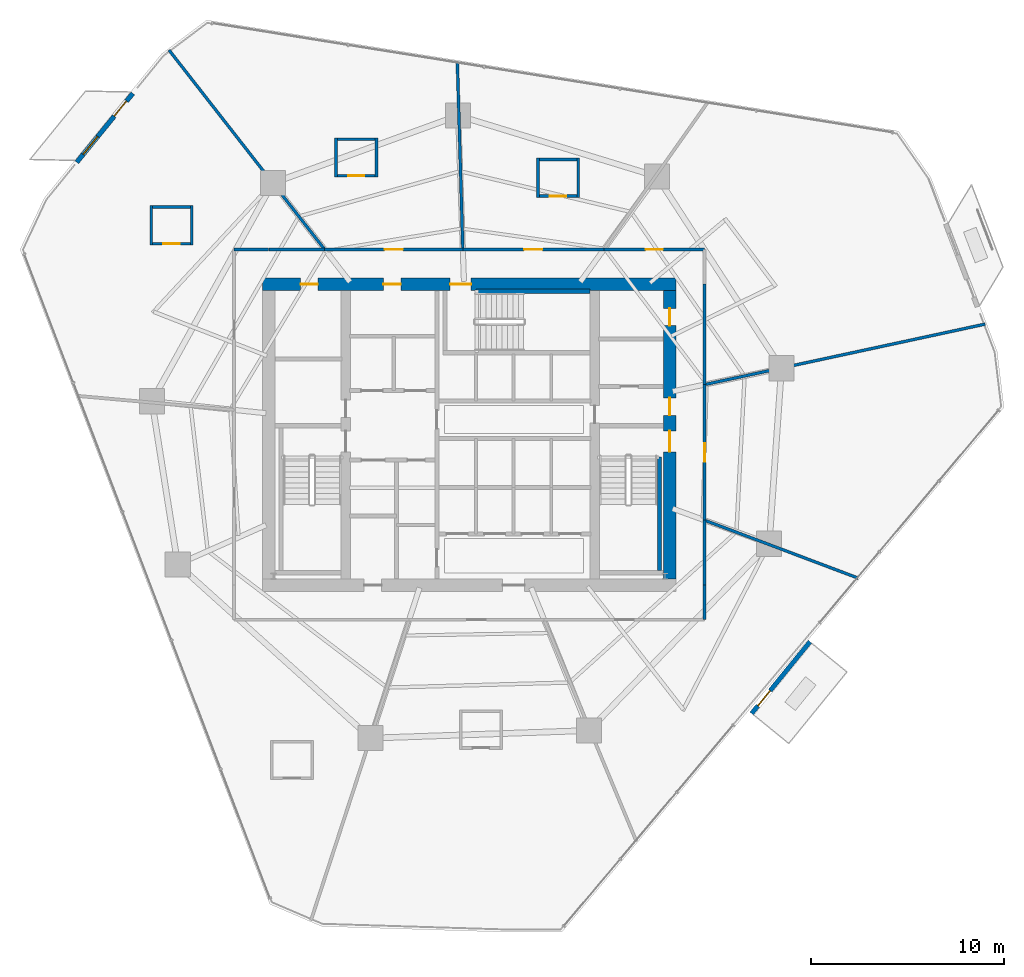
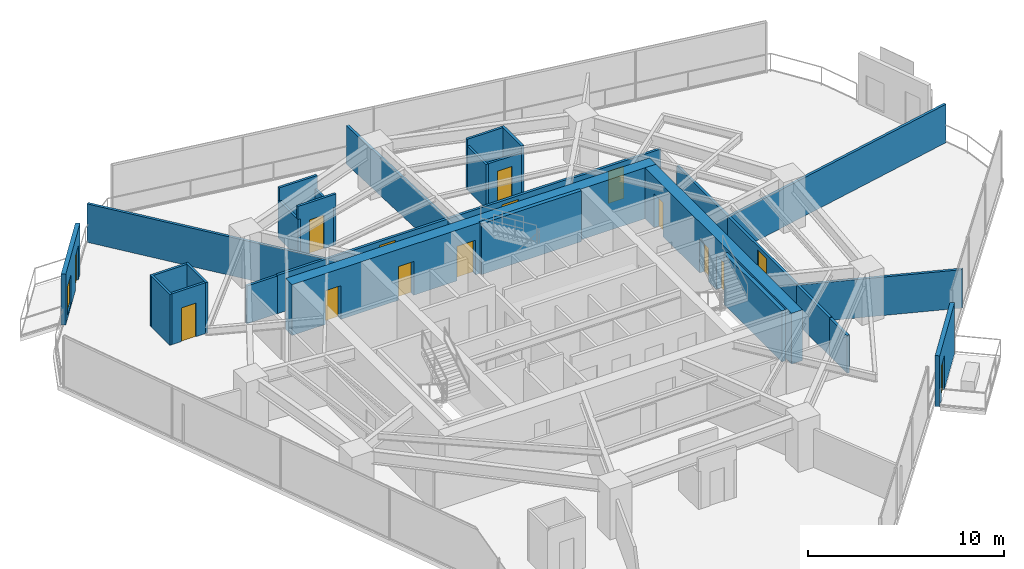
# One storey, part 26 of 31: 31 walls, 15 doors, 1 window, 16 openings.
"""IFC4 building model written with IfcOpenShell, lengths in metres."""

from ifc_helpers import new_model, si_unit, direction, frame, frame_2d, origin, place, context, subcontext, project, spatial, rectangle, extrude, material, layer, layer_set, type_object, element, fill, save


model = new_model("IFC4")

# Units and contexts
model_context = context("Model", 3, precision=1e-05, world=origin(), true_north=direction((0.0, 1.0)))
body_context = subcontext(model_context, "Body", "Model", "MODEL_VIEW")
ifc_project = project(units=[si_unit("LENGTHUNIT", "METRE"), si_unit("AREAUNIT", "SQUARE_METRE"), si_unit("VOLUMEUNIT", "CUBIC_METRE"), si_unit("PLANEANGLEUNIT", "RADIAN"), si_unit("MASSUNIT", "GRAM", prefix="KILO")], contexts=[model_context])

# Site, building, storey
site_placement = place(None, origin())
site = spatial("IfcSite", under=ifc_project, at=site_placement, CompositionType="ELEMENT")
building_placement = place(site_placement, origin())
building = spatial("IfcBuilding", under=site, at=building_placement, Name="Qarnah Convention Tower", CompositionType="ELEMENT")
storey_placement = place(building_placement, frame((0.0, 0.0, 33.89990234375)))
storey = spatial("IfcBuildingStorey", under=building, at=storey_placement, Name="L07", CompositionType="ELEMENT", Elevation=33.89990234375)

# Wall, openings, doors
ifc_material_1 = material(Name="Concrete C60/75", Category="concrete")
ifc_layer_1 = layer(ifc_material_1, 0.64990234375)
ifc_layer_set_1 = layer_set([ifc_layer_1], Name="Concrete C60/75")
wall_type_1 = type_object("IfcWallType", Name="WL-CORE-650", PredefinedType="SHEAR", material=ifc_layer_set_1)
wall_1_placement = place(storey_placement, frame((26.47509765625, 34.199951171875, 0.0), z_axis=(0.0, 0.0, 1.0), x_axis=(1.0, 0.0, 0.0)))
wall_1 = element("IfcWall", 1, at=wall_1_placement, inside=storey, type_object=wall_type_1, Name="L07 core north shear wall", PredefinedType="SHEAR", context=body_context, shape_type="SweptSolid", body=[
    extrude(rectangle(XDim=21.449951171875, YDim=0.64990234375, at=frame_2d((10.72509765625, 0.0))), origin(), (0.0, 0.0, 1.0), 3.170166015625),
])
opening_1_placement = place(wall_1_placement, frame((9.72509765625, 0.0, 0.0)))
opening_1 = element("IfcOpeningElement", 2, at=opening_1_placement, cuts=wall_1, Name="Opening D-0703", PredefinedType="OPENING", context=body_context, shape_type="SweptSolid", body=[
    extrude(rectangle(XDim=1.10009765625, YDim=2.14990234375, at=frame_2d((0.550048828125, 1.074951171875))), frame((0.0, 0.3349609375, 0.0), z_axis=(0.0, -1.0, 0.0), x_axis=(1.0, 0.0, 0.0)), (0.0, 0.0, 1.0), 0.669921875),
])
opening_2_placement = place(wall_1_placement, frame((1.97509765625, 0.0, 0.0)))
opening_2 = element("IfcOpeningElement", 3, at=opening_2_placement, cuts=wall_1, Name="Opening D-0709", PredefinedType="OPENING", context=body_context, shape_type="SweptSolid", body=[
    extrude(rectangle(XDim=0.89990234375, YDim=2.10009765625, at=frame_2d((0.449951171875, 1.050048828125))), frame((0.0, 0.3349609375, 0.0), z_axis=(0.0, -1.0, 0.0), x_axis=(1.0, 0.0, 0.0)), (0.0, 0.0, 1.0), 0.669921875),
])
opening_3_placement = place(wall_1_placement, frame((6.27490234375, 0.0, 0.0)))
opening_3 = element("IfcOpeningElement", 4, at=opening_3_placement, cuts=wall_1, Name="Opening D-0710", PredefinedType="OPENING", context=body_context, shape_type="SweptSolid", body=[
    extrude(rectangle(XDim=0.89990234375, YDim=2.10009765625, at=frame_2d((0.449951171875, 1.050048828125))), frame((0.0, 0.3349609375, 0.0), z_axis=(0.0, -1.0, 0.0), x_axis=(1.0, 0.0, 0.0)), (0.0, 0.0, 1.0), 0.669921875),
])
ifc_material_2 = material(Name="Structural steel S355JR", Category="steel")
door_type_1 = type_object("IfcDoorType", Name="DT-RISER-900", OperationType="NOTDEFINED", PredefinedType="DOOR", material=ifc_material_2)
door_1_placement = place(opening_2_placement, origin())
door_1 = element("IfcDoor", 5, at=door_1_placement, inside=storey, type_object=door_type_1, Name="Door D-0709", OperationType="SINGLE_SWING_LEFT", OverallHeight=2.10009765625, OverallWidth=0.89990234375, PredefinedType="DOOR", context=body_context, shape_type="SweptSolid", body=[
    extrude(rectangle(XDim=0.89990234375, YDim=2.10009765625, at=frame_2d((0.449951171875, 1.050048828125))), frame((0.0, 0.02490234375, 0.0), z_axis=(0.0, -1.0, 0.0), x_axis=(1.0, 0.0, 0.0)), (0.0, 0.0, 1.0), 0.050048828125),
])
fill(opening_2, door_1)
door_2_placement = place(opening_3_placement, origin())
door_2 = element("IfcDoor", 6, at=door_2_placement, inside=storey, type_object=door_type_1, Name="Door D-0710", OperationType="SINGLE_SWING_RIGHT", OverallHeight=2.10009765625, OverallWidth=0.89990234375, PredefinedType="DOOR", context=body_context, shape_type="SweptSolid", body=[
    extrude(rectangle(XDim=0.89990234375, YDim=2.10009765625, at=frame_2d((0.449951171875, 1.050048828125))), frame((0.0, 0.02490234375, 0.0), z_axis=(0.0, -1.0, 0.0), x_axis=(1.0, 0.0, 0.0)), (0.0, 0.0, 1.0), 0.050048828125),
])
fill(opening_3, door_2)
door_type_2 = type_object("IfcDoorType", Name="DT-STAIR-1100", OperationType="NOTDEFINED", PredefinedType="DOOR", material=ifc_material_2)
door_3_placement = place(opening_1_placement, origin())
door_3 = element("IfcDoor", 7, at=door_3_placement, inside=storey, type_object=door_type_2, Name="Door D-0703", OperationType="SINGLE_SWING_LEFT", OverallHeight=2.14990234375, OverallWidth=1.10009765625, PredefinedType="DOOR", context=body_context, shape_type="SweptSolid", body=[
    extrude(rectangle(XDim=1.10009765625, YDim=2.14990234375, at=frame_2d((0.550048828125, 1.074951171875))), frame((0.0, 0.02490234375, 0.0), z_axis=(0.0, -1.0, 0.0), x_axis=(1.0, 0.0, 0.0)), (0.0, 0.0, 1.0), 0.050048828125),
])
fill(opening_1, door_3)

wall_2_placement = place(storey_placement, frame((47.60009765625, 18.925048828125, 0.0), z_axis=(0.0, 0.0, 1.0), x_axis=(0.0, 1.0, 0.0)))
wall_2 = element("IfcWall", 8, at=wall_2_placement, inside=storey, type_object=wall_type_1, Name="L07 core east shear wall", PredefinedType="SHEAR", context=body_context, shape_type="SweptSolid", body=[
    extrude(rectangle(XDim=14.949951171875, YDim=0.64990234375, at=frame_2d((7.47509765625, 0.0))), origin(), (0.0, 0.0, 1.0), 3.170166015625),
])
opening_4_placement = place(wall_2_placement, frame((6.574951171875, 0.0, 0.0)))
opening_4 = element("IfcOpeningElement", 9, at=opening_4_placement, cuts=wall_2, Name="Opening D-0702", PredefinedType="OPENING", context=body_context, shape_type="SweptSolid", body=[
    extrude(rectangle(XDim=1.10009765625, YDim=2.14990234375, at=frame_2d((0.550048828125, 1.074951171875))), frame((0.0, 0.3349609375, 0.0), z_axis=(0.0, -1.0, 0.0), x_axis=(1.0, 0.0, 0.0)), (0.0, 0.0, 1.0), 0.669921875),
])
opening_5_placement = place(wall_2_placement, frame((8.47509765625, 0.0, 0.0)))
opening_5 = element("IfcOpeningElement", 10, at=opening_5_placement, cuts=wall_2, Name="Opening D-0706", PredefinedType="OPENING", context=body_context, shape_type="SweptSolid", body=[
    extrude(rectangle(XDim=0.89990234375, YDim=2.10009765625, at=frame_2d((0.449951171875, 1.050048828125))), frame((0.0, 0.3349609375, 0.0), z_axis=(0.0, -1.0, 0.0), x_axis=(1.0, 0.0, 0.0)), (0.0, 0.0, 1.0), 0.669921875),
])
opening_6_placement = place(wall_2_placement, frame((13.125, 0.0, 0.0)))
opening_6 = element("IfcOpeningElement", 11, at=opening_6_placement, cuts=wall_2, Name="Opening D-0712", PredefinedType="OPENING", context=body_context, shape_type="SweptSolid", body=[
    extrude(rectangle(XDim=0.89990234375, YDim=2.10009765625, at=frame_2d((0.449951171875, 1.050048828125))), frame((0.0, 0.3349609375, 0.0), z_axis=(0.0, -1.0, 0.0), x_axis=(1.0, 0.0, 0.0)), (0.0, 0.0, 1.0), 0.669921875),
])
door_4_placement = place(opening_5_placement, origin())
door_4 = element("IfcDoor", 12, at=door_4_placement, inside=storey, type_object=door_type_1, Name="Door D-0706", OperationType="SINGLE_SWING_RIGHT", OverallHeight=2.10009765625, OverallWidth=0.89990234375, PredefinedType="DOOR", context=body_context, shape_type="SweptSolid", body=[
    extrude(rectangle(XDim=0.89990234375, YDim=2.10009765625, at=frame_2d((0.449951171875, 1.050048828125))), frame((0.0, 0.02490234375, 0.0), z_axis=(0.0, -1.0, 0.0), x_axis=(1.0, 0.0, 0.0)), (0.0, 0.0, 1.0), 0.050048828125),
])
fill(opening_5, door_4)
door_5_placement = place(opening_6_placement, origin())
door_5 = element("IfcDoor", 13, at=door_5_placement, inside=storey, type_object=door_type_1, Name="Door D-0712", OperationType="SINGLE_SWING_RIGHT", OverallHeight=2.10009765625, OverallWidth=0.89990234375, PredefinedType="DOOR", context=body_context, shape_type="SweptSolid", body=[
    extrude(rectangle(XDim=0.89990234375, YDim=2.10009765625, at=frame_2d((0.449951171875, 1.050048828125))), frame((0.0, 0.02490234375, 0.0), z_axis=(0.0, -1.0, 0.0), x_axis=(1.0, 0.0, 0.0)), (0.0, 0.0, 1.0), 0.050048828125),
])
fill(opening_6, door_5)
door_6_placement = place(opening_4_placement, origin())
door_6 = element("IfcDoor", 14, at=door_6_placement, inside=storey, type_object=door_type_2, Name="Door D-0702", OperationType="SINGLE_SWING_RIGHT", OverallHeight=2.14990234375, OverallWidth=1.10009765625, PredefinedType="DOOR", context=body_context, shape_type="SweptSolid", body=[
    extrude(rectangle(XDim=1.10009765625, YDim=2.14990234375, at=frame_2d((0.550048828125, 1.074951171875))), frame((0.0, 0.02490234375, 0.0), z_axis=(0.0, -1.0, 0.0), x_axis=(1.0, 0.0, 0.0)), (0.0, 0.0, 1.0), 0.050048828125),
])
fill(opening_4, door_6)

# Walls
ifc_layer_2 = layer(ifc_material_1, 0.219970703125)
ifc_layer_set_2 = layer_set([ifc_layer_2], Name="Concrete C60/75")
wall_type_2 = type_object("IfcWallType", Name="WL-CORE-STAIR-220", PredefinedType="SHEAR", material=ifc_layer_set_2)
for number, where, z_axis, x_axis, name in (
    (15, (47.06005859375, 19.35009765625, 0.0), (0.0, 0.0, 1.0), (0.0, 1.0, 0.0), "L07 stair shaft shear wall SW-L07-ST2E"),
    (16, (37.550048828125, 33.840087890625, 0.0), (0.0, 0.0, 1.0), (1.0, 0.0, 0.0), "L07 stair shaft shear wall SW-L07-ST3N"),
):
    element("IfcWall", number, at=place(storey_placement, frame(where, z_axis=z_axis, x_axis=x_axis)), inside=storey, type_object=wall_type_2, Name=name, PredefinedType="SHEAR", context=body_context, shape_type="SweptSolid", body=[
        extrude(rectangle(XDim=5.89990234375, YDim=0.219970703125, at=frame_2d((2.949951171875, 0.0))), origin(), (0.0, 0.0, 1.0), 3.170166015625),
    ])

# Wall, openings, door, window
ifc_material_3 = material(Name="Precast concrete C45/55", Category="concrete")
ifc_layer_3 = layer(ifc_material_3, 0.239990234375)
ifc_layer_set_3 = layer_set([ifc_layer_3], Name="Precast concrete C45/55")
wall_type_3 = type_object("IfcWallType", Name="WL-EXT-BAL-240", PredefinedType="SOLIDWALL", material=ifc_layer_set_3)
wall_3_placement = place(storey_placement, frame((16.846923828125, 40.52392578125, 0.0), z_axis=(0.0, 0.0, 1.0), x_axis=(0.631010071112, 0.775774638768, 0.0)))
wall_3 = element("IfcWall", 17, at=wall_3_placement, inside=storey, type_object=wall_type_3, Name="L07 loggia threshold wall BAL-L07-C2", PredefinedType="SOLIDWALL", context=body_context, shape_type="SweptSolid", body=[
    extrude(rectangle(XDim=4.6005859375, YDim=0.239990234375, at=frame_2d((2.30029296875, 0.0))), origin(), (0.0, 0.0, 1.0), 3.170166015625),
])
opening_7_placement = place(wall_3_placement, frame((3.0810546875, 0.0, 0.0)))
opening_7 = element("IfcOpeningElement", 18, at=opening_7_placement, cuts=wall_3, Name="Opening BD-0702", PredefinedType="OPENING", context=body_context, shape_type="SweptSolid", body=[
    extrude(rectangle(XDim=1.0, YDim=2.14990234375, at=frame_2d((0.5, 1.074951171875))), frame((0.0, 0.1298828125, 0.0), z_axis=(0.0, -1.0, 0.0), x_axis=(1.0, 0.0, 0.0)), (0.0, 0.0, 1.0), 0.260009765625),
])
opening_8_placement = place(wall_3_placement, frame((0.52001953125, 0.0, 0.199951171875)))
opening_8 = element("IfcOpeningElement", 19, at=opening_8_placement, cuts=wall_3, Name="Opening WN5", PredefinedType="OPENING", context=body_context, shape_type="SweptSolid", body=[
    extrude(rectangle(XDim=1.199951171875, YDim=1.800048828125, at=frame_2d((0.60009765625, 0.89990234375))), frame((0.0, 0.1298828125, 0.0), z_axis=(0.0, -1.0, 0.0), x_axis=(1.0, 0.0, 0.0)), (0.0, 0.0, 1.0), 0.260009765625),
])
ifc_material_4 = material(Name="Black anodised aluminium", Category="aluminium")
door_type_3 = type_object("IfcDoorType", Name="DT-BAL-1000", OperationType="NOTDEFINED", PredefinedType="DOOR", material=ifc_material_4)
door_7_placement = place(opening_7_placement, origin())
door_7 = element("IfcDoor", 20, at=door_7_placement, inside=storey, type_object=door_type_3, Name="L07 balcony terrace door BAL-L07-C2", OperationType="SINGLE_SWING_RIGHT", OverallHeight=2.14990234375, OverallWidth=1.0, PredefinedType="DOOR", context=body_context, shape_type="SweptSolid", body=[
    extrude(rectangle(XDim=1.0, YDim=2.14990234375, at=frame_2d((0.5, 1.074951171875))), frame((0.0, 0.02490234375, 0.0), z_axis=(0.0, -1.0, 0.0), x_axis=(1.0, 0.0, 0.0)), (0.0, 0.0, 1.0), 0.050048828125),
])
fill(opening_7, door_7)
ifc_material_5 = material(Name="Tempered Low-E dark glass", Category="glass")
window_type = type_object("IfcWindowType", Name="WT-BAL-1200X1800", PartitioningType="SINGLE_PANEL", PredefinedType="WINDOW", material=ifc_material_5)
window_placement = place(opening_8_placement, origin())
window = element("IfcWindow", 21, at=window_placement, inside=storey, type_object=window_type, Name="Window BW-BAL-L07-C2", OverallHeight=1.800048828125, OverallWidth=1.199951171875, PartitioningType="SINGLE_PANEL", PredefinedType="WINDOW", context=body_context, shape_type="SweptSolid", body=[
    extrude(rectangle(XDim=1.199951171875, YDim=1.800048828125, at=frame_2d((0.60009765625, 0.89990234375))), frame((0.0, 0.030029296875, 0.0), z_axis=(0.0, -1.0, 0.0), x_axis=(1.0, 0.0, 0.0)), (0.0, 0.0, 1.0), 0.06005859375),
])
fill(opening_8, window)

# Wall, opening, door
wall_4_placement = place(storey_placement, frame((54.867919921875, 15.662109375, 0.0), z_axis=(0.0, 0.0, 1.0), x_axis=(-0.630841537398, -0.775911692587, 0.0)))
wall_4 = element("IfcWall", 22, at=wall_4_placement, inside=storey, type_object=wall_type_3, Name="L07 loggia threshold wall VN-L07", PredefinedType="SOLIDWALL", context=body_context, shape_type="SweptSolid", body=[
    extrude(rectangle(XDim=4.799560546875, YDim=0.239990234375, at=frame_2d((2.39990234375, 0.0))), origin(), (0.0, 0.0, 1.0), 3.170166015625),
])
opening_9_placement = place(wall_4_placement, frame((3.280029296875, 0.0, 0.0)))
opening_9 = element("IfcOpeningElement", 23, at=opening_9_placement, cuts=wall_4, Name="Opening BD-0703", PredefinedType="OPENING", context=body_context, shape_type="SweptSolid", body=[
    extrude(rectangle(XDim=1.0, YDim=2.14990234375, at=frame_2d((0.5, 1.074951171875))), frame((0.0, 0.1298828125, 0.0), z_axis=(0.0, -1.0, 0.0), x_axis=(1.0, 0.0, 0.0)), (0.0, 0.0, 1.0), 0.260009765625),
])
door_8_placement = place(opening_9_placement, origin())
door_8 = element("IfcDoor", 24, at=door_8_placement, inside=storey, type_object=door_type_3, Name="L07 balcony terrace door VN-L07", OperationType="SINGLE_SWING_LEFT", OverallHeight=2.14990234375, OverallWidth=1.0, PredefinedType="DOOR", context=body_context, shape_type="SweptSolid", body=[
    extrude(rectangle(XDim=1.0, YDim=2.14990234375, at=frame_2d((0.5, 1.074951171875))), frame((0.0, 0.02490234375, 0.0), z_axis=(0.0, -1.0, 0.0), x_axis=(1.0, 0.0, 0.0)), (0.0, 0.0, 1.0), 0.050048828125),
])
fill(opening_9, door_8)

ifc_material_6 = material(Name="Gypsum partition board")
ifc_layer_4 = layer(ifc_material_6, 0.14990234375)
ifc_layer_set_4 = layer_set([ifc_layer_4], Name="Gypsum partition board")
wall_type_4 = type_object("IfcWallType", Name="WL-SUITE-150", PredefinedType="PARTITIONING", material=ifc_layer_set_4)
wall_5_placement = place(storey_placement, frame((44.175048828125, 36.0, 0.0), z_axis=(0.0, 0.0, 1.0), x_axis=(1.0, 0.0, 0.0)))
wall_5 = element("IfcWall", 25, at=wall_5_placement, inside=storey, type_object=wall_type_4, Name="L07 interior wall IW-L07-R-22", PredefinedType="PARTITIONING", context=body_context, shape_type="SweptSolid", body=[
    extrude(rectangle(XDim=5.224853515625, YDim=0.14990234375, at=frame_2d((2.6123046875, 0.0))), origin(), (0.0, 0.0, 1.0), 2.35498046875),
])
opening_10_placement = place(wall_5_placement, frame((2.1630859375, 0.0, 0.0)))
opening_10 = element("IfcOpeningElement", 26, at=opening_10_placement, cuts=wall_5, Name="Opening D-0716", PredefinedType="OPENING", context=body_context, shape_type="SweptSolid", body=[
    extrude(rectangle(XDim=0.89990234375, YDim=2.0, at=frame_2d((0.449951171875, 1.0))), frame((0.0, 0.0849609375, 0.0), z_axis=(0.0, -1.0, 0.0), x_axis=(1.0, 0.0, 0.0)), (0.0, 0.0, 1.0), 0.169921875),
])
door_type_4 = type_object("IfcDoorType", Name="DT-PLANT-900", OperationType="NOTDEFINED", PredefinedType="DOOR", material=ifc_material_2)
door_9_placement = place(opening_10_placement, origin())
door_9 = element("IfcDoor", 27, at=door_9_placement, inside=storey, type_object=door_type_4, Name="Door D-0716", OperationType="SINGLE_SWING_RIGHT", OverallHeight=2.0, OverallWidth=0.89990234375, PredefinedType="DOOR", context=body_context, shape_type="SweptSolid", body=[
    extrude(rectangle(XDim=0.89990234375, YDim=2.0, at=frame_2d((0.449951171875, 1.0))), frame((0.0, 0.02490234375, 0.0), z_axis=(0.0, -1.0, 0.0), x_axis=(1.0, 0.0, 0.0)), (0.0, 0.0, 1.0), 0.050048828125),
])
fill(opening_10, door_9)

# Walls
wall_6_placement = place(storey_placement, frame((49.39990234375, 34.199951171875, 0.0), z_axis=(0.0, 0.0, 1.0), x_axis=(0.0, -1.0, 0.0)))
element("IfcWall", 28, at=wall_6_placement, inside=storey, type_object=wall_type_4, Name="L07 interior wall IW-L07-R-24", PredefinedType="PARTITIONING", context=body_context, shape_type="SweptSolid", body=[
    extrude(rectangle(XDim=5.20703125, YDim=0.14990234375, at=frame_2d((2.603515625, 0.0))), origin(), (0.0, 0.0, 1.0), 2.39501953125),
])
wall_7_placement = place(storey_placement, frame((49.39990234375, 28.992919921875, 0.0), z_axis=(0.0, 0.0, 1.0), x_axis=(0.977544632336, 0.210728478834, 0.0)))
element("IfcWall", 29, at=wall_7_placement, inside=storey, type_object=wall_type_4, Name="L07 interior wall IW-L07-R-25", PredefinedType="PARTITIONING", context=body_context, shape_type="SweptSolid", body=[
    extrude(rectangle(XDim=14.88623046875, YDim=0.14990234375, at=frame_2d((7.443115234375, 0.0))), origin(), (0.0, 0.0, 1.0), 2.39501953125),
])
wall_8_placement = place(storey_placement, frame((36.5791015625, 45.73388671875, 0.0), z_axis=(0.0, 0.0, 1.0), x_axis=(0.029357794342, -0.999568967061, 0.0)))
element("IfcWall", 30, at=wall_8_placement, inside=storey, type_object=wall_type_4, Name="L07 interior wall IW-L07-R-26", PredefinedType="PARTITIONING", context=body_context, shape_type="SweptSolid", body=[
    extrude(rectangle(XDim=9.738037109375, YDim=0.14990234375, at=frame_2d((4.869140625, 0.0))), origin(), (0.0, 0.0, 1.0), 2.39501953125),
])

# Wall, opening, door
wall_9_placement = place(storey_placement, frame((36.864990234375, 36.0, 0.0), z_axis=(0.0, 0.0, 1.0), x_axis=(1.0, 0.0, 0.0)))
wall_9 = element("IfcWall", 31, at=wall_9_placement, inside=storey, type_object=wall_type_4, Name="L07 interior wall IW-L07-R-27", PredefinedType="PARTITIONING", context=body_context, shape_type="SweptSolid", body=[
    extrude(rectangle(XDim=7.31005859375, YDim=0.14990234375, at=frame_2d((3.655029296875, 0.0))), origin(), (0.0, 0.0, 1.0), 2.39501953125),
])
opening_11_placement = place(wall_9_placement, frame((3.179931640625, 0.0, 0.0)))
opening_11 = element("IfcOpeningElement", 32, at=opening_11_placement, cuts=wall_9, Name="Opening D-0717", PredefinedType="OPENING", context=body_context, shape_type="SweptSolid", body=[
    extrude(rectangle(XDim=0.949951171875, YDim=2.14990234375, at=frame_2d((0.47509765625, 1.074951171875))), frame((0.0, 0.0849609375, 0.0), z_axis=(0.0, -1.0, 0.0), x_axis=(1.0, 0.0, 0.0)), (0.0, 0.0, 1.0), 0.169921875),
])
ifc_material_7 = material(Name="Oak timber veneer", Category="wood")
door_type_5 = type_object("IfcDoorType", Name="DT-HOTEL-950", OperationType="NOTDEFINED", PredefinedType="DOOR", material=ifc_material_7)
door_10_placement = place(opening_11_placement, origin())
door_10 = element("IfcDoor", 33, at=door_10_placement, inside=storey, type_object=door_type_5, Name="Door D-0717", OperationType="SINGLE_SWING_LEFT", OverallHeight=2.14990234375, OverallWidth=0.949951171875, PredefinedType="DOOR", context=body_context, shape_type="SweptSolid", body=[
    extrude(rectangle(XDim=0.949951171875, YDim=2.14990234375, at=frame_2d((0.47509765625, 1.074951171875))), frame((0.0, 0.02490234375, 0.0), z_axis=(0.0, -1.0, 0.0), x_axis=(1.0, 0.0, 0.0)), (0.0, 0.0, 1.0), 0.050048828125),
])
fill(opening_11, door_10)

# Wall
wall_10_placement = place(storey_placement, frame((21.6298828125, 46.337890625, 0.0), z_axis=(0.0, 0.0, 1.0), x_axis=(0.61534054644, -0.788261385523, 0.0)))
element("IfcWall", 34, at=wall_10_placement, inside=storey, type_object=wall_type_4, Name="L07 interior wall IW-L07-R-28", PredefinedType="PARTITIONING", context=body_context, shape_type="SweptSolid", body=[
    extrude(rectangle(XDim=13.11474609375, YDim=0.14990234375, at=frame_2d((6.557373046875, 0.0))), origin(), (0.0, 0.0, 1.0), 2.39501953125),
])

# Wall, opening, door
wall_11_placement = place(storey_placement, frame((29.699951171875, 36.0, 0.0), z_axis=(0.0, 0.0, 1.0), x_axis=(1.0, 0.0, 0.0)))
wall_11 = element("IfcWall", 35, at=wall_11_placement, inside=storey, type_object=wall_type_4, Name="L07 interior wall IW-L07-R-29", PredefinedType="PARTITIONING", context=body_context, shape_type="SweptSolid", body=[
    extrude(rectangle(XDim=7.1650390625, YDim=0.14990234375, at=frame_2d((3.58251953125, 0.0))), origin(), (0.0, 0.0, 1.0), 2.39501953125),
])
opening_12_placement = place(wall_11_placement, frame((3.10791015625, 0.0, 0.0)))
opening_12 = element("IfcOpeningElement", 36, at=opening_12_placement, cuts=wall_11, Name="Opening D-0719", PredefinedType="OPENING", context=body_context, shape_type="SweptSolid", body=[
    extrude(rectangle(XDim=0.949951171875, YDim=2.14990234375, at=frame_2d((0.47509765625, 1.074951171875))), frame((0.0, 0.0849609375, 0.0), z_axis=(0.0, -1.0, 0.0), x_axis=(1.0, 0.0, 0.0)), (0.0, 0.0, 1.0), 0.169921875),
])
door_11_placement = place(opening_12_placement, origin())
door_11 = element("IfcDoor", 37, at=door_11_placement, inside=storey, type_object=door_type_5, Name="Door D-0719", OperationType="SINGLE_SWING_LEFT", OverallHeight=2.14990234375, OverallWidth=0.949951171875, PredefinedType="DOOR", context=body_context, shape_type="SweptSolid", body=[
    extrude(rectangle(XDim=0.949951171875, YDim=2.14990234375, at=frame_2d((0.47509765625, 1.074951171875))), frame((0.0, 0.02490234375, 0.0), z_axis=(0.0, -1.0, 0.0), x_axis=(1.0, 0.0, 0.0)), (0.0, 0.0, 1.0), 0.050048828125),
])
fill(opening_12, door_11)

# Walls
wall_12_placement = place(storey_placement, frame((25.0, 36.0, 0.0), z_axis=(0.0, 0.0, 1.0), x_axis=(1.0, 0.0, 0.0)))
element("IfcWall", 38, at=wall_12_placement, inside=storey, type_object=wall_type_4, Name="L07 interior wall IW-L07-R-32", PredefinedType="PARTITIONING", context=body_context, shape_type="SweptSolid", body=[
    extrude(rectangle(XDim=1.800048828125, YDim=0.14990234375, at=frame_2d((0.89990234375, 0.0))), origin(), (0.0, 0.0, 1.0), 2.35498046875),
])
wall_13_placement = place(storey_placement, frame((26.800048828125, 36.0, 0.0), z_axis=(0.0, 0.0, 1.0), x_axis=(1.0, 0.0, 0.0)))
element("IfcWall", 39, at=wall_13_placement, inside=storey, type_object=wall_type_4, Name="L07 interior wall IW-L07-R-33", PredefinedType="PARTITIONING", context=body_context, shape_type="SweptSolid", body=[
    extrude(rectangle(XDim=2.89990234375, YDim=0.14990234375, at=frame_2d((1.449951171875, 0.0))), origin(), (0.0, 0.0, 1.0), 2.39501953125),
])
wall_14_placement = place(storey_placement, frame((57.3701171875, 18.95703125, 0.0), z_axis=(0.0, 0.0, 1.0), x_axis=(-0.935783818512, 0.352574311331, 0.0)))
element("IfcWall", 40, at=wall_14_placement, inside=storey, type_object=wall_type_4, Name="L07 interior wall IW-L07-R-40", PredefinedType="PARTITIONING", context=body_context, shape_type="SweptSolid", body=[
    extrude(rectangle(XDim=8.51708984375, YDim=0.14990234375, at=frame_2d((4.258544921875, 0.0))), origin(), (0.0, 0.0, 1.0), 2.39501953125),
])
wall_15_placement = place(storey_placement, frame((49.39990234375, 21.9599609375, 0.0), z_axis=(0.0, 0.0, 1.0), x_axis=(0.0, -1.0, 0.0)))
element("IfcWall", 41, at=wall_15_placement, inside=storey, type_object=wall_type_4, Name="L07 interior wall IW-L07-R-41", PredefinedType="PARTITIONING", context=body_context, shape_type="SweptSolid", body=[
    extrude(rectangle(XDim=3.35986328125, YDim=0.14990234375, at=frame_2d((1.679931640625, 0.0))), origin(), (0.0, 0.0, 1.0), 2.39501953125),
])
wall_16_placement = place(storey_placement, frame((49.39990234375, 18.60009765625, 0.0), z_axis=(0.0, 0.0, 1.0), x_axis=(0.0, -1.0, 0.0)))
element("IfcWall", 42, at=wall_16_placement, inside=storey, type_object=wall_type_4, Name="L07 interior wall IW-L07-R-42", PredefinedType="PARTITIONING", context=body_context, shape_type="SweptSolid", body=[
    extrude(rectangle(XDim=1.800048828125, YDim=0.14990234375, at=frame_2d((0.89990234375, 0.0))), origin(), (0.0, 0.0, 1.0), 2.35498046875),
])

# Wall, opening, door
wall_17_placement = place(storey_placement, frame((49.39990234375, 28.992919921875, 0.0), z_axis=(0.0, 0.0, 1.0), x_axis=(0.0, -1.0, 0.0)))
wall_17 = element("IfcWall", 43, at=wall_17_placement, inside=storey, type_object=wall_type_4, Name="L07 interior wall IW-L07-R-44", PredefinedType="PARTITIONING", context=body_context, shape_type="SweptSolid", body=[
    extrude(rectangle(XDim=7.032958984375, YDim=0.14990234375, at=frame_2d((3.5166015625, 0.0))), origin(), (0.0, 0.0, 1.0), 2.39501953125),
])
opening_13_placement = place(wall_17_placement, frame((3.041015625, 0.0, 0.0)))
opening_13 = element("IfcOpeningElement", 44, at=opening_13_placement, cuts=wall_17, Name="Opening D-0728", PredefinedType="OPENING", context=body_context, shape_type="SweptSolid", body=[
    extrude(rectangle(XDim=0.949951171875, YDim=2.14990234375, at=frame_2d((0.47509765625, 1.074951171875))), frame((0.0, 0.0849609375, 0.0), z_axis=(0.0, -1.0, 0.0), x_axis=(1.0, 0.0, 0.0)), (0.0, 0.0, 1.0), 0.169921875),
])
door_12_placement = place(opening_13_placement, origin())
door_12 = element("IfcDoor", 45, at=door_12_placement, inside=storey, type_object=door_type_5, Name="Door D-0728", OperationType="SINGLE_SWING_RIGHT", OverallHeight=2.14990234375, OverallWidth=0.949951171875, PredefinedType="DOOR", context=body_context, shape_type="SweptSolid", body=[
    extrude(rectangle(XDim=0.949951171875, YDim=2.14990234375, at=frame_2d((0.47509765625, 1.074951171875))), frame((0.0, 0.02490234375, 0.0), z_axis=(0.0, -1.0, 0.0), x_axis=(1.0, 0.0, 0.0)), (0.0, 0.0, 1.0), 0.050048828125),
])
fill(opening_13, door_12)

ifc_layer_5 = layer(ifc_material_6, 0.139892578125)
ifc_layer_set_5 = layer_set([ifc_layer_5], Name="Gypsum partition board")
wall_type_5 = type_object("IfcWallType", Name="WL-WET-140", PredefinedType="PARTITIONING", material=ifc_layer_set_5)
wall_18_placement = place(storey_placement, frame((40.68701171875, 38.77099609375, 0.0), z_axis=(0.0, 0.0, 1.0), x_axis=(1.0, 0.0, 0.0)))
wall_18 = element("IfcWall", 46, at=wall_18_placement, inside=storey, type_object=wall_type_5, Name="L07 interior wall IW-L07-ENS01-1", PredefinedType="PARTITIONING", context=body_context, shape_type="SweptSolid", body=[
    extrude(rectangle(XDim=2.239990234375, YDim=0.139892578125, at=frame_2d((1.1201171875, 0.0))), origin(), (0.0, 0.0, 1.0), 2.7470703125),
])
opening_14_placement = place(wall_18_placement, frame((0.695068359375, 0.0, 0.0)))
opening_14 = element("IfcOpeningElement", 47, at=opening_14_placement, cuts=wall_18, Name="Opening D-0718", PredefinedType="OPENING", context=body_context, shape_type="SweptSolid", body=[
    extrude(rectangle(XDim=0.85009765625, YDim=2.10009765625, at=frame_2d((0.425048828125, 1.050048828125))), frame((0.0, 0.079833984375, 0.0), z_axis=(0.0, -1.0, 0.0), x_axis=(1.0, 0.0, 0.0)), (0.0, 0.0, 1.0), 0.159912109375),
])
door_type_6 = type_object("IfcDoorType", Name="DT-BATH-850", OperationType="NOTDEFINED", PredefinedType="DOOR", material=ifc_material_7)
door_13_placement = place(opening_14_placement, origin())
door_13 = element("IfcDoor", 48, at=door_13_placement, inside=storey, type_object=door_type_6, Name="Door D-0718", OperationType="SINGLE_SWING_RIGHT", OverallHeight=2.10009765625, OverallWidth=0.85009765625, PredefinedType="DOOR", context=body_context, shape_type="SweptSolid", body=[
    extrude(rectangle(XDim=0.85009765625, YDim=2.10009765625, at=frame_2d((0.425048828125, 1.050048828125))), frame((0.0, 0.02490234375, 0.0), z_axis=(0.0, -1.0, 0.0), x_axis=(1.0, 0.0, 0.0)), (0.0, 0.0, 1.0), 0.050048828125),
])
fill(opening_14, door_13)

# Walls
wall_19_placement = place(storey_placement, frame((42.85693359375, 38.700927734375, 0.0), z_axis=(0.0, 0.0, 1.0), x_axis=(0.0, 1.0, 0.0)))
element("IfcWall", 49, at=wall_19_placement, inside=storey, type_object=wall_type_5, Name="L07 interior wall IW-L07-ENS01-2", PredefinedType="PARTITIONING", context=body_context, shape_type="SweptSolid", body=[
    extrude(rectangle(XDim=2.0400390625, YDim=0.139892578125, at=frame_2d((1.02001953125, 0.0))), origin(), (0.0, 0.0, 1.0), 3.170166015625),
])
wall_20_placement = place(storey_placement, frame((42.927001953125, 40.6708984375, 0.0), z_axis=(0.0, 0.0, 1.0), x_axis=(-1.0, 0.0, 0.0)))
element("IfcWall", 50, at=wall_20_placement, inside=storey, type_object=wall_type_5, Name="L07 interior wall IW-L07-ENS01-3", PredefinedType="PARTITIONING", context=body_context, shape_type="SweptSolid", body=[
    extrude(rectangle(XDim=2.239990234375, YDim=0.139892578125, at=frame_2d((1.1201171875, 0.0))), origin(), (0.0, 0.0, 1.0), 3.170166015625),
])
wall_21_placement = place(storey_placement, frame((40.757080078125, 40.740966796875, 0.0), z_axis=(0.0, 0.0, 1.0), x_axis=(0.0, -1.0, 0.0)))
element("IfcWall", 51, at=wall_21_placement, inside=storey, type_object=wall_type_5, Name="L07 interior wall IW-L07-ENS01-4", PredefinedType="PARTITIONING", context=body_context, shape_type="SweptSolid", body=[
    extrude(rectangle(XDim=2.0400390625, YDim=0.139892578125, at=frame_2d((1.02001953125, 0.0))), origin(), (0.0, 0.0, 1.0), 2.7470703125),
])

# Wall, opening, door
wall_22_placement = place(storey_placement, frame((30.216064453125, 39.819091796875, 0.0), z_axis=(0.0, 0.0, 1.0), x_axis=(1.0, 0.0, 0.0)))
wall_22 = element("IfcWall", 52, at=wall_22_placement, inside=storey, type_object=wall_type_5, Name="L07 interior wall IW-L07-ENS02-1", PredefinedType="PARTITIONING", context=body_context, shape_type="SweptSolid", body=[
    extrude(rectangle(XDim=2.239990234375, YDim=0.139892578125, at=frame_2d((1.1201171875, 0.0))), origin(), (0.0, 0.0, 1.0), 3.170166015625),
])
opening_15_placement = place(wall_22_placement, frame((0.695068359375, 0.0, 0.0)))
opening_15 = element("IfcOpeningElement", 53, at=opening_15_placement, cuts=wall_22, Name="Opening D-0720", PredefinedType="OPENING", context=body_context, shape_type="SweptSolid", body=[
    extrude(rectangle(XDim=0.85009765625, YDim=2.10009765625, at=frame_2d((0.425048828125, 1.050048828125))), frame((0.0, 0.079833984375, 0.0), z_axis=(0.0, -1.0, 0.0), x_axis=(1.0, 0.0, 0.0)), (0.0, 0.0, 1.0), 0.159912109375),
])
door_14_placement = place(opening_15_placement, origin())
door_14 = element("IfcDoor", 54, at=door_14_placement, inside=storey, type_object=door_type_6, Name="Door D-0720", OperationType="SINGLE_SWING_RIGHT", OverallHeight=2.10009765625, OverallWidth=0.85009765625, PredefinedType="DOOR", context=body_context, shape_type="SweptSolid", body=[
    extrude(rectangle(XDim=0.85009765625, YDim=2.10009765625, at=frame_2d((0.425048828125, 1.050048828125))), frame((0.0, 0.02490234375, 0.0), z_axis=(0.0, -1.0, 0.0), x_axis=(1.0, 0.0, 0.0)), (0.0, 0.0, 1.0), 0.050048828125),
])
fill(opening_15, door_14)

# Walls
wall_23_placement = place(storey_placement, frame((32.385986328125, 39.7490234375, 0.0), z_axis=(0.0, 0.0, 1.0), x_axis=(0.0, 1.0, 0.0)))
element("IfcWall", 55, at=wall_23_placement, inside=storey, type_object=wall_type_5, Name="L07 interior wall IW-L07-ENS02-2", PredefinedType="PARTITIONING", context=body_context, shape_type="SweptSolid", body=[
    extrude(rectangle(XDim=2.0400390625, YDim=0.139892578125, at=frame_2d((1.02001953125, 0.0))), origin(), (0.0, 0.0, 1.0), 2.35498046875),
])
wall_24_placement = place(storey_placement, frame((32.4560546875, 41.718994140625, 0.0), z_axis=(0.0, 0.0, 1.0), x_axis=(-1.0, 0.0, 0.0)))
element("IfcWall", 56, at=wall_24_placement, inside=storey, type_object=wall_type_5, Name="L07 interior wall IW-L07-ENS02-3", PredefinedType="PARTITIONING", context=body_context, shape_type="SweptSolid", body=[
    extrude(rectangle(XDim=2.239990234375, YDim=0.139892578125, at=frame_2d((1.1201171875, 0.0))), origin(), (0.0, 0.0, 1.0), 3.170166015625),
])
wall_25_placement = place(storey_placement, frame((30.285888671875, 41.7890625, 0.0), z_axis=(0.0, 0.0, 1.0), x_axis=(0.0, -1.0, 0.0)))
element("IfcWall", 57, at=wall_25_placement, inside=storey, type_object=wall_type_5, Name="L07 interior wall IW-L07-ENS02-4", PredefinedType="PARTITIONING", context=body_context, shape_type="SweptSolid", body=[
    extrude(rectangle(XDim=2.0400390625, YDim=0.139892578125, at=frame_2d((1.02001953125, 0.0))), origin(), (0.0, 0.0, 1.0), 2.35498046875),
])

# Wall, opening, door
wall_26_placement = place(storey_placement, frame((20.639892578125, 36.302001953125, 0.0), z_axis=(0.0, 0.0, 1.0), x_axis=(1.0, 0.0, 0.0)))
wall_26 = element("IfcWall", 58, at=wall_26_placement, inside=storey, type_object=wall_type_5, Name="L07 interior wall IW-L07-ENS03-1", PredefinedType="PARTITIONING", context=body_context, shape_type="SweptSolid", body=[
    extrude(rectangle(XDim=2.239990234375, YDim=0.139892578125, at=frame_2d((1.1201171875, 0.0))), origin(), (0.0, 0.0, 1.0), 3.170166015625),
])
opening_16_placement = place(wall_26_placement, frame((0.695068359375, 0.0, 0.0)))
opening_16 = element("IfcOpeningElement", 59, at=opening_16_placement, cuts=wall_26, Name="Opening D-0722", PredefinedType="OPENING", context=body_context, shape_type="SweptSolid", body=[
    extrude(rectangle(XDim=0.85009765625, YDim=2.10009765625, at=frame_2d((0.425048828125, 1.050048828125))), frame((0.0, 0.079833984375, 0.0), z_axis=(0.0, -1.0, 0.0), x_axis=(1.0, 0.0, 0.0)), (0.0, 0.0, 1.0), 0.159912109375),
])
door_15_placement = place(opening_16_placement, origin())
door_15 = element("IfcDoor", 60, at=door_15_placement, inside=storey, type_object=door_type_6, Name="Door D-0722", OperationType="SINGLE_SWING_RIGHT", OverallHeight=2.10009765625, OverallWidth=0.85009765625, PredefinedType="DOOR", context=body_context, shape_type="SweptSolid", body=[
    extrude(rectangle(XDim=0.85009765625, YDim=2.10009765625, at=frame_2d((0.425048828125, 1.050048828125))), frame((0.0, 0.02490234375, 0.0), z_axis=(0.0, -1.0, 0.0), x_axis=(1.0, 0.0, 0.0)), (0.0, 0.0, 1.0), 0.050048828125),
])
fill(opening_16, door_15)

# Walls
wall_27_placement = place(storey_placement, frame((22.81005859375, 36.23193359375, 0.0), z_axis=(0.0, 0.0, 1.0), x_axis=(0.0, 1.0, 0.0)))
element("IfcWall", 61, at=wall_27_placement, inside=storey, type_object=wall_type_5, Name="L07 interior wall IW-L07-ENS03-2", PredefinedType="PARTITIONING", context=body_context, shape_type="SweptSolid", body=[
    extrude(rectangle(XDim=2.0400390625, YDim=0.139892578125, at=frame_2d((1.02001953125, 0.0))), origin(), (0.0, 0.0, 1.0), 3.170166015625),
])
wall_28_placement = place(storey_placement, frame((22.8798828125, 38.201904296875, 0.0), z_axis=(0.0, 0.0, 1.0), x_axis=(-1.0, 0.0, 0.0)))
element("IfcWall", 62, at=wall_28_placement, inside=storey, type_object=wall_type_5, Name="L07 interior wall IW-L07-ENS03-3", PredefinedType="PARTITIONING", context=body_context, shape_type="SweptSolid", body=[
    extrude(rectangle(XDim=2.239990234375, YDim=0.139892578125, at=frame_2d((1.1201171875, 0.0))), origin(), (0.0, 0.0, 1.0), 3.170166015625),
])
wall_29_placement = place(storey_placement, frame((20.7099609375, 38.27197265625, 0.0), z_axis=(0.0, 0.0, 1.0), x_axis=(0.0, -1.0, 0.0)))
element("IfcWall", 63, at=wall_29_placement, inside=storey, type_object=wall_type_5, Name="L07 interior wall IW-L07-ENS03-4", PredefinedType="PARTITIONING", context=body_context, shape_type="SweptSolid", body=[
    extrude(rectangle(XDim=2.0400390625, YDim=0.139892578125, at=frame_2d((1.02001953125, 0.0))), origin(), (0.0, 0.0, 1.0), 3.170166015625),
])

save(model, "model.ifc")
